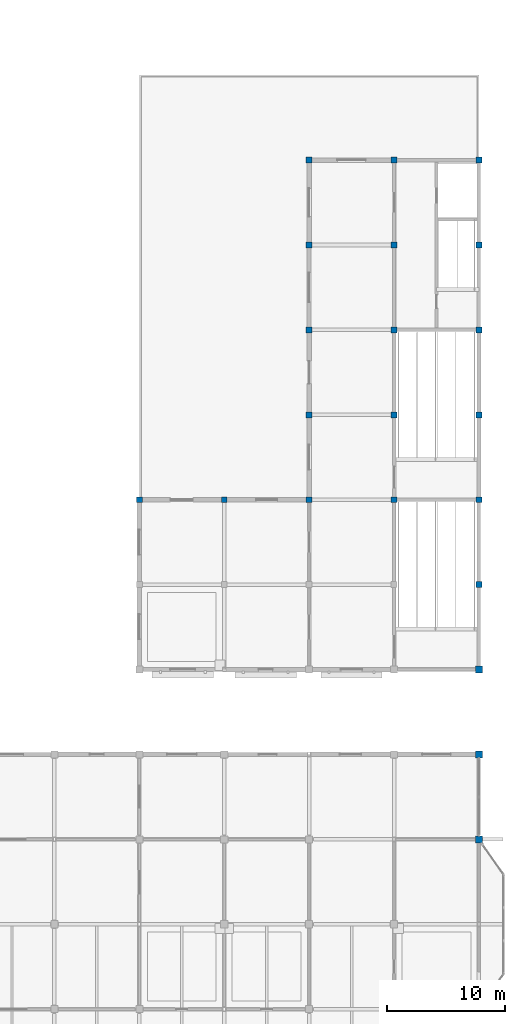
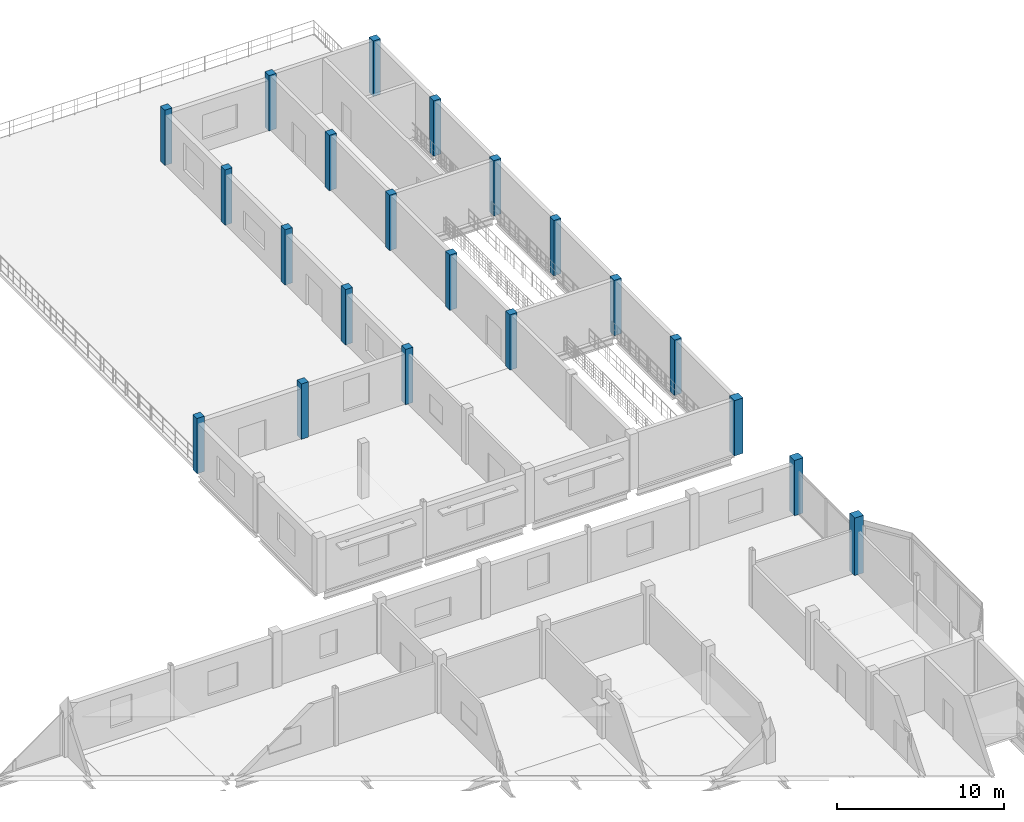
# One storey, part 8 of 51: 21 columns.
"""IFC4 building model written with IfcOpenShell, lengths in metres."""

from ifc_helpers import new_model, si_unit, direction, frame, origin, origin_2d, place, context, subcontext, project, spatial, rectangle, extrude, material, material_profile, profile_set, type_object, element, save


model = new_model("IFC4")

# Units and contexts
model_context = context("Model", 3, precision=1e-05, world=origin(), true_north=direction((0.0, 1.0)))
body_context = subcontext(model_context, "Body", "Model", "MODEL_VIEW")
ifc_project = project(units=[si_unit("LENGTHUNIT", "METRE"), si_unit("AREAUNIT", "SQUARE_METRE"), si_unit("VOLUMEUNIT", "CUBIC_METRE"), si_unit("PLANEANGLEUNIT", "RADIAN"), si_unit("MASSUNIT", "GRAM", prefix="KILO")], contexts=[model_context])

# Site, building, storey
site_placement = place(None, origin())
site = spatial("IfcSite", under=ifc_project, at=site_placement, CompositionType="ELEMENT")
building_placement = place(site_placement, origin())
building = spatial("IfcBuilding", under=site, at=building_placement, Name="Vesperath Aquatics Centre", CompositionType="ELEMENT")
storey_placement = place(building_placement, frame((0.0, 0.0, 15.0)))
storey = spatial("IfcBuildingStorey", under=building, at=storey_placement, Name="L03", CompositionType="ELEMENT", Elevation=15.0)

# Columns
ifc_material_1 = material(Name="Concrete C40", Category="concrete")
ifc_material_profile_1 = material_profile(ifc_material_1, rectangle(XDim=0.60009765625, YDim=0.60009765625, at=origin_2d()), Name="RC 600x600")
ifc_profile_set_1 = profile_set([ifc_material_profile_1], Name="Concrete C40")
column_type_1 = type_object("IfcColumnType", Name="CL-C06", PredefinedType="COLUMN", material=ifc_profile_set_1)
column_placement = place(storey_placement, frame((172.800048828125, 36.0, 0.0), z_axis=(0.0, 0.0, 1.0), x_axis=(1.0, 0.0, 0.0)))
element("IfcColumn", 1, at=column_placement, inside=storey, type_object=column_type_1, Name="Column C06 L03 25/F", PredefinedType="COLUMN", context=body_context, shape_type="SweptSolid", body=[
    extrude(rectangle(XDim=0.60009765625, YDim=0.60009765625, at=origin_2d()), origin(), (0.0, 0.0, 1.0), 4.199951171875),
])
for number, where, z_axis, x_axis, name in (
    (2, (172.800048828125, 43.199951171875, 0.0), (0.0, 0.0, 1.0), (1.0, 0.0, 0.0), "Column C06 L03 25/G"),
    (3, (172.800048828125, 50.39990234375, 0.0), (0.0, 0.0, 1.0), (1.0, 0.0, 0.0), "Column C06 L03 25/H"),
):
    element("IfcColumn", number, at=place(storey_placement, frame(where, z_axis=z_axis, x_axis=x_axis)), inside=storey, type_object=column_type_1, Name=name, PredefinedType="COLUMN", context=body_context, shape_type="SweptSolid", body=[
        extrude(rectangle(XDim=0.60009765625, YDim=0.60009765625, at=origin_2d()), origin(), (0.0, 0.0, 1.0), 4.0400390625),
    ])
ifc_material_2 = material(Name="Concrete C35", Category="concrete")
ifc_material_profile_2 = material_profile(ifc_material_2, rectangle(XDim=0.5, YDim=0.5, at=origin_2d()), Name="RC 500x500")
ifc_profile_set_2 = profile_set([ifc_material_profile_2], Name="Concrete C35")
column_type_2 = type_object("IfcColumnType", Name="CL-C07", PredefinedType="COLUMN", material=ifc_profile_set_2)
for number, where, z_axis, x_axis, name in (
    (4, (144.0, 64.800048828125, 0.0), (0.0, 0.0, 1.0), (1.0, 0.0, 0.0), "Column C07 L03 21/K"),
    (5, (151.199951171875, 64.800048828125, 0.0), (0.0, 0.0, 1.0), (1.0, 0.0, 0.0), "Column C07 L03 22/K"),
    (6, (158.39990234375, 64.800048828125, 0.0), (0.0, 0.0, 1.0), (1.0, 0.0, 0.0), "Column C07 L03 23/K"),
    (7, (158.39990234375, 72.0, 0.0), (0.0, 0.0, 1.0), (1.0, 0.0, 0.0), "Column C07 L03 23/L"),
    (8, (158.39990234375, 79.199951171875, 0.0), (0.0, 0.0, 1.0), (1.0, 0.0, 0.0), "Column C07 L03 23/M"),
    (9, (158.39990234375, 86.39990234375, 0.0), (0.0, 0.0, 1.0), (1.0, 0.0, 0.0), "Column C07 L03 23/N"),
    (10, (158.39990234375, 93.60009765625, 0.0), (0.0, 0.0, 1.0), (1.0, 0.0, 0.0), "Column C07 L03 23/P"),
    (11, (165.60009765625, 64.800048828125, 0.0), (0.0, 0.0, 1.0), (1.0, 0.0, 0.0), "Column C07 L03 24/K"),
    (12, (165.60009765625, 72.0, 0.0), (0.0, 0.0, 1.0), (1.0, 0.0, 0.0), "Column C07 L03 24/L"),
    (13, (165.60009765625, 79.199951171875, 0.0), (0.0, 0.0, 1.0), (1.0, 0.0, 0.0), "Column C07 L03 24/M"),
    (14, (165.60009765625, 86.39990234375, 0.0), (0.0, 0.0, 1.0), (1.0, 0.0, 0.0), "Column C07 L03 24/N"),
    (15, (165.60009765625, 93.60009765625, 0.0), (0.0, 0.0, 1.0), (1.0, 0.0, 0.0), "Column C07 L03 24/P"),
    (16, (172.800048828125, 57.60009765625, 0.0), (0.0, 0.0, 1.0), (1.0, 0.0, 0.0), "Column C07 L03 25/J"),
    (17, (172.800048828125, 64.800048828125, 0.0), (0.0, 0.0, 1.0), (1.0, 0.0, 0.0), "Column C07 L03 25/K"),
    (18, (172.800048828125, 72.0, 0.0), (0.0, 0.0, 1.0), (1.0, 0.0, 0.0), "Column C07 L03 25/L"),
    (19, (172.800048828125, 79.199951171875, 0.0), (0.0, 0.0, 1.0), (1.0, 0.0, 0.0), "Column C07 L03 25/M"),
    (20, (172.800048828125, 86.39990234375, 0.0), (0.0, 0.0, 1.0), (1.0, 0.0, 0.0), "Column C07 L03 25/N"),
    (21, (172.800048828125, 93.60009765625, 0.0), (0.0, 0.0, 1.0), (1.0, 0.0, 0.0), "Column C07 L03 25/P"),
):
    element("IfcColumn", number, at=place(storey_placement, frame(where, z_axis=z_axis, x_axis=x_axis)), inside=storey, type_object=column_type_2, Name=name, PredefinedType="COLUMN", context=body_context, shape_type="SweptSolid", body=[
        extrude(rectangle(XDim=0.5, YDim=0.5, at=origin_2d()), origin(), (0.0, 0.0, 1.0), 4.0400390625),
    ])

save(model, "model.ifc")
